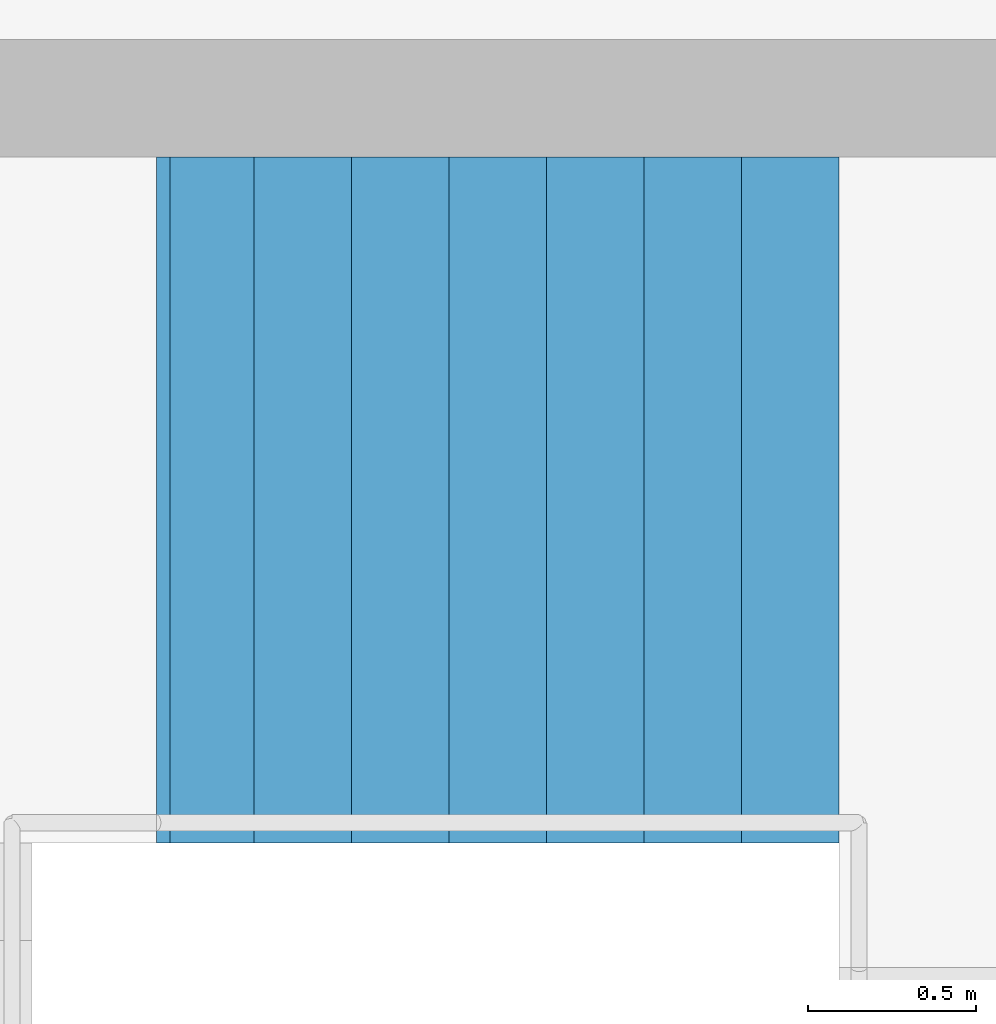
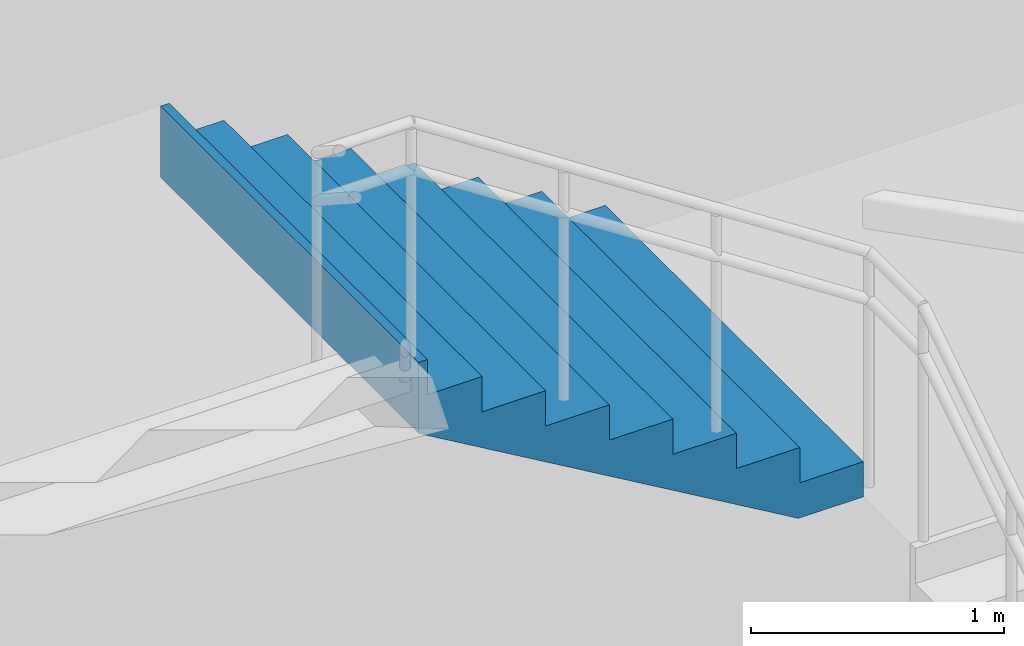
# One storey, part 65 of 74: 1 stair flight, 1 element without a shape of its own.
"""IFC4 building model written with IfcOpenShell, lengths in metres."""

from ifc_helpers import new_model, si_unit, direction, frame, origin, place, context, subcontext, project, spatial, triangles, material, type_object, element, aggregate, save


model = new_model("IFC4")

# Units and contexts
model_context = context("Model", 3, precision=1e-05, world=origin(), true_north=direction((0.0, 1.0)))
body_context = subcontext(model_context, "Body", "Model", "MODEL_VIEW")
ifc_project = project(units=[si_unit("LENGTHUNIT", "METRE"), si_unit("AREAUNIT", "SQUARE_METRE"), si_unit("VOLUMEUNIT", "CUBIC_METRE"), si_unit("PLANEANGLEUNIT", "RADIAN"), si_unit("MASSUNIT", "GRAM", prefix="KILO")], contexts=[model_context])

# Site, building, storey
site_placement = place(None, origin())
site = spatial("IfcSite", under=ifc_project, at=site_placement, CompositionType="ELEMENT")
building_placement = place(site_placement, origin())
building = spatial("IfcBuilding", under=site, at=building_placement, Name="Sillaruma Civic Art Gallery", CompositionType="ELEMENT")
storey_placement = place(building_placement, frame((0.0, 0.0, 5.43994140625)))
storey = spatial("IfcBuildingStorey", under=building, at=storey_placement, Name="L01", CompositionType="ELEMENT", Elevation=5.43994140625)

# Stair, stair flight
ifc_material = material(Name="Concrete H35 (35 MPa)", Category="concrete")
stair_type = type_object("IfcStairType", Name="STR-4F-32", PredefinedType="USERDEFINED", material=ifc_material)
stair_placement = place(storey_placement, origin())
stair = element("IfcStair", 1, at=stair_placement, inside=storey, type_object=stair_type, Name="Protected Exit Stair ST-02 (West Bar North) (L01)", ObjectType="THREE_RETURN_STAIR", PredefinedType="USERDEFINED")
stair_flight_type = type_object("IfcStairFlightType", Name="SFL-STR-8", PredefinedType="STRAIGHT", material=ifc_material)
stair_flight_placement = place(storey_placement, frame((67.199951171875, 86.3701171875, 2.719970703125), z_axis=(0.0, 0.0, 1.0), x_axis=(-1.0, 0.0, 0.0)))
stair_flight = element("IfcStairFlight", 2, at=stair_flight_placement, type_object=stair_flight_type, Name="ST-02 flight 3", NumberOfRisers=8, NumberOfTreads=7, PredefinedType="STRAIGHT", RiserHeight=0.17, TreadLength=0.29, context=body_context, shape_type="Tessellation", body=[
    triangles([(0.0, -1.02001953125, 0.0), (0.29, -1.02001953125, 0.0), (0.296443, -1.02001953125, 0.0), (0.58, -1.02001953125, 0.166223), (0.87, -1.02001953125, 0.336223), (1.16, -1.02001953125, 0.506223), (1.45, -1.02001953125, 0.676223), (1.74, -1.02001953125, 0.846223), (1.990029, -1.02001953125, 0.992792), (2.030029, -1.02001953125, 1.01624), (2.030029, -1.02001953125, 1.36), (1.990029, -1.02001953125, 1.36), (1.990029, -1.02001953125, 1.19), (1.74, -1.02001953125, 1.19), (1.74, -1.02001953125, 1.02), (1.45, -1.02001953125, 1.02), (1.45, -1.02001953125, 0.85), (1.16, -1.02001953125, 0.85), (1.16, -1.02001953125, 0.68), (0.87, -1.02001953125, 0.68), (0.87, -1.02001953125, 0.51), (0.58, -1.02001953125, 0.51), (0.58, -1.02001953125, 0.34), (0.296443, -1.02001953125, 0.34), (0.29, -1.02001953125, 0.34), (0.29, -1.02001953125, 0.17), (0.0, -1.02001953125, 0.17), (0.0, -0.05, 0.0), (0.29, -0.05, 0.0), (0.296443, -0.05, 0.0), (0.58, -0.05, 0.166223), (0.87, -0.05, 0.336223), (1.16, -0.05, 0.506223), (1.45, -0.05, 0.676223), (1.74, -0.05, 0.846223), (1.990029, -0.05, 0.992792), (2.030029, -0.05, 1.01624), (2.030029, -0.05, 1.36), (1.990029, -0.05, 1.36), (1.990029, -0.05, 1.19), (1.74, -0.05, 1.19), (1.74, -0.05, 1.02), (1.45, -0.05, 1.02), (1.45, -0.05, 0.85), (1.16, -0.05, 0.85), (1.16, -0.05, 0.68), (0.87, -0.05, 0.68), (0.87, -0.05, 0.51), (0.58, -0.05, 0.51), (0.58, -0.05, 0.34), (0.296443, -0.05, 0.34), (0.29, -0.05, 0.34), (0.29, -0.05, 0.17), (0.0, -0.05, 0.17), (0.0, -0.0375, 0.0), (0.29, -0.0375, 0.0), (0.296443, -0.0375, 0.0), (0.58, -0.0375, 0.166223), (0.87, -0.0375, 0.336223), (1.16, -0.0375, 0.506223), (1.45, -0.0375, 0.676223), (1.74, -0.0375, 0.846223), (1.990029, -0.0375, 0.992792), (2.030029, -0.0375, 1.01624), (2.030029, -0.0375, 1.36), (1.990029, -0.0375, 1.36), (1.990029, -0.0375, 1.19), (1.74, -0.0375, 1.19), (1.74, -0.0375, 1.02), (1.45, -0.0375, 1.02), (1.45, -0.0375, 0.85), (1.16, -0.0375, 0.85), (1.16, -0.0375, 0.68), (0.87, -0.0375, 0.68), (0.87, -0.0375, 0.51), (0.58, -0.0375, 0.51), (0.58, -0.0375, 0.34), (0.296443, -0.0375, 0.34), (0.29, -0.0375, 0.34), (0.29, -0.0375, 0.17), (0.0, -0.0375, 0.17), (0.0, -0.025, 0.0), (0.29, -0.025, 0.0), (0.296443, -0.025, 0.0), (0.58, -0.025, 0.166223), (0.87, -0.025, 0.336223), (1.16, -0.025, 0.506223), (1.45, -0.025, 0.676223), (1.74, -0.025, 0.846223), (1.990029, -0.025, 0.992792), (2.030029, -0.025, 1.01624), (2.030029, -0.025, 1.36), (1.990029, -0.025, 1.36), (1.990029, -0.025, 1.19), (1.74, -0.025, 1.19), (1.74, -0.025, 1.02), (1.45, -0.025, 1.02), (1.45, -0.025, 0.85), (1.16, -0.025, 0.85), (1.16, -0.025, 0.68), (0.87, -0.025, 0.68), (0.87, -0.025, 0.51), (0.58, -0.025, 0.51), (0.58, -0.025, 0.34), (0.296443, -0.025, 0.34), (0.29, -0.025, 0.34), (0.29, -0.025, 0.17), (0.0, -0.025, 0.17), (0.0, -0.0125, 0.0), (0.29, -0.0125, 0.0), (0.296443, -0.0125, 0.0), (0.58, -0.0125, 0.166223), (0.87, -0.0125, 0.336223), (1.16, -0.0125, 0.506223), (1.45, -0.0125, 0.676223), (1.74, -0.0125, 0.846223), (1.990029, -0.0125, 0.992792), (2.030029, -0.0125, 1.01624), (2.030029, -0.0125, 1.36), (1.990029, -0.0125, 1.36), (1.990029, -0.0125, 1.19), (1.74, -0.0125, 1.19), (1.74, -0.0125, 1.02), (1.45, -0.0125, 1.02), (1.45, -0.0125, 0.85), (1.16, -0.0125, 0.85), (1.16, -0.0125, 0.68), (0.87, -0.0125, 0.68), (0.87, -0.0125, 0.51), (0.58, -0.0125, 0.51), (0.58, -0.0125, 0.34), (0.296443, -0.0125, 0.34), (0.29, -0.0125, 0.34), (0.29, -0.0125, 0.17), (0.0, -0.0125, 0.17), (0.0, 0.0, 0.0), (0.29, 0.0, 0.0), (0.296443, 0.0, 0.0), (0.58, 0.0, 0.166223), (0.87, 0.0, 0.336223), (1.16, 0.0, 0.506223), (1.45, 0.0, 0.676223), (1.74, 0.0, 0.846223), (1.990029, 0.0, 0.992792), (2.030029, 0.0, 1.01624), (2.030029, 0.0, 1.36), (1.990029, 0.0, 1.36), (1.990029, 0.0, 1.19), (1.74, 0.0, 1.19), (1.74, 0.0, 1.02), (1.45, 0.0, 1.02), (1.45, 0.0, 0.85), (1.16, 0.0, 0.85), (1.16, 0.0, 0.68), (0.87, 0.0, 0.68), (0.87, 0.0, 0.51), (0.58, 0.0, 0.51), (0.58, 0.0, 0.34), (0.296443, 0.0, 0.34), (0.29, 0.0, 0.34), (0.29, 0.0, 0.17), (0.0, 0.0, 0.17), (0.0, 0.0125, 0.0), (0.29, 0.0125, 0.0), (0.296443, 0.0125, 0.0), (0.58, 0.0125, 0.166223), (0.87, 0.0125, 0.336223), (1.16, 0.0125, 0.506223), (1.45, 0.0125, 0.676223), (1.74, 0.0125, 0.846223), (1.990029, 0.0125, 0.992792), (2.030029, 0.0125, 1.01624), (2.030029, 0.0125, 1.36), (1.990029, 0.0125, 1.36), (1.990029, 0.0125, 1.19), (1.74, 0.0125, 1.19), (1.74, 0.0125, 1.02), (1.45, 0.0125, 1.02), (1.45, 0.0125, 0.85), (1.16, 0.0125, 0.85), (1.16, 0.0125, 0.68), (0.87, 0.0125, 0.68), (0.87, 0.0125, 0.51), (0.58, 0.0125, 0.51), (0.58, 0.0125, 0.34), (0.296443, 0.0125, 0.34), (0.29, 0.0125, 0.34), (0.29, 0.0125, 0.17), (0.0, 0.0125, 0.17), (0.0, 0.025, 0.0), (0.29, 0.025, 0.0), (0.296443, 0.025, 0.0), (0.58, 0.025, 0.166223), (0.87, 0.025, 0.336223), (1.16, 0.025, 0.506223), (1.45, 0.025, 0.676223), (1.74, 0.025, 0.846223), (1.990029, 0.025, 0.992792), (2.030029, 0.025, 1.01624), (2.030029, 0.025, 1.36), (1.990029, 0.025, 1.36), (1.990029, 0.025, 1.19), (1.74, 0.025, 1.19), (1.74, 0.025, 1.02), (1.45, 0.025, 1.02), (1.45, 0.025, 0.85), (1.16, 0.025, 0.85), (1.16, 0.025, 0.68), (0.87, 0.025, 0.68), (0.87, 0.025, 0.51), (0.58, 0.025, 0.51), (0.58, 0.025, 0.34), (0.296443, 0.025, 0.34), (0.29, 0.025, 0.34), (0.29, 0.025, 0.17), (0.0, 0.025, 0.17), (0.0, 0.0375, 0.0), (0.29, 0.0375, 0.0), (0.296443, 0.0375, 0.0), (0.58, 0.0375, 0.166223), (0.87, 0.0375, 0.336223), (1.16, 0.0375, 0.506223), (1.45, 0.0375, 0.676223), (1.74, 0.0375, 0.846223), (1.990029, 0.0375, 0.992792), (2.030029, 0.0375, 1.01624), (2.030029, 0.0375, 1.36), (1.990029, 0.0375, 1.36), (1.990029, 0.0375, 1.19), (1.74, 0.0375, 1.19), (1.74, 0.0375, 1.02), (1.45, 0.0375, 1.02), (1.45, 0.0375, 0.85), (1.16, 0.0375, 0.85), (1.16, 0.0375, 0.68), (0.87, 0.0375, 0.68), (0.87, 0.0375, 0.51), (0.58, 0.0375, 0.51), (0.58, 0.0375, 0.34), (0.296443, 0.0375, 0.34), (0.29, 0.0375, 0.34), (0.29, 0.0375, 0.17), (0.0, 0.0375, 0.17), (0.0, 0.05, 0.0), (0.29, 0.05, 0.0), (0.296443, 0.05, 0.0), (0.58, 0.05, 0.166223), (0.87, 0.05, 0.336223), (1.16, 0.05, 0.506223), (1.45, 0.05, 0.676223), (1.74, 0.05, 0.846223), (1.990029, 0.05, 0.992792), (2.030029, 0.05, 1.01624), (2.030029, 0.05, 1.36), (1.990029, 0.05, 1.36), (1.990029, 0.05, 1.19), (1.74, 0.05, 1.19), (1.74, 0.05, 1.02), (1.45, 0.05, 1.02), (1.45, 0.05, 0.85), (1.16, 0.05, 0.85), (1.16, 0.05, 0.68), (0.87, 0.05, 0.68), (0.87, 0.05, 0.51), (0.58, 0.05, 0.51), (0.58, 0.05, 0.34), (0.296443, 0.05, 0.34), (0.29, 0.05, 0.34), (0.29, 0.05, 0.17), (0.0, 0.05, 0.17), (0.0, 1.02001953125, 0.0), (0.29, 1.02001953125, 0.0), (0.296443, 1.02001953125, 0.0), (0.58, 1.02001953125, 0.166223), (0.87, 1.02001953125, 0.336223), (1.16, 1.02001953125, 0.506223), (1.45, 1.02001953125, 0.676223), (1.74, 1.02001953125, 0.846223), (1.990029, 1.02001953125, 0.992792), (2.030029, 1.02001953125, 1.01624), (2.030029, 1.02001953125, 1.36), (1.990029, 1.02001953125, 1.36), (1.990029, 1.02001953125, 1.19), (1.74, 1.02001953125, 1.19), (1.74, 1.02001953125, 1.02), (1.45, 1.02001953125, 1.02), (1.45, 1.02001953125, 0.85), (1.16, 1.02001953125, 0.85), (1.16, 1.02001953125, 0.68), (0.87, 1.02001953125, 0.68), (0.87, 1.02001953125, 0.51), (0.58, 1.02001953125, 0.51), (0.58, 1.02001953125, 0.34), (0.296443, 1.02001953125, 0.34), (0.29, 1.02001953125, 0.34), (0.29, 1.02001953125, 0.17), (0.0, 1.02001953125, 0.17)], [[1, 2, 26], [1, 26, 27], [2, 3, 24], [2, 24, 26], [26, 24, 25], [3, 4, 23], [3, 23, 24], [4, 5, 21], [4, 21, 23], [23, 21, 22], [5, 6, 19], [5, 19, 21], [21, 19, 20], [6, 7, 17], [6, 17, 19], [19, 17, 18], [7, 8, 15], [7, 15, 17], [17, 15, 16], [8, 9, 13], [8, 13, 15], [15, 13, 14], [9, 10, 11], [9, 11, 13], [13, 11, 12], [296, 272, 271], [297, 296, 271], [294, 273, 272], [296, 294, 272], [295, 294, 296], [293, 274, 273], [294, 293, 273], [291, 275, 274], [293, 291, 274], [292, 291, 293], [289, 276, 275], [291, 289, 275], [290, 289, 291], [287, 277, 276], [289, 287, 276], [288, 287, 289], [285, 278, 277], [287, 285, 277], [286, 285, 287], [283, 279, 278], [285, 283, 278], [284, 283, 285], [281, 280, 279], [283, 281, 279], [282, 281, 283], [2, 1, 28], [2, 28, 29], [3, 2, 29], [3, 29, 30], [4, 3, 30], [4, 30, 31], [5, 4, 31], [5, 31, 32], [6, 5, 32], [6, 32, 33], [7, 6, 33], [7, 33, 34], [8, 7, 34], [8, 34, 35], [9, 8, 35], [9, 35, 36], [10, 9, 36], [10, 36, 37], [11, 10, 37], [11, 37, 38], [12, 11, 38], [12, 38, 39], [13, 12, 39], [13, 39, 40], [14, 13, 40], [14, 40, 41], [15, 14, 41], [15, 41, 42], [16, 15, 42], [16, 42, 43], [17, 16, 43], [17, 43, 44], [18, 17, 44], [18, 44, 45], [19, 18, 45], [19, 45, 46], [20, 19, 46], [20, 46, 47], [21, 20, 47], [21, 47, 48], [22, 21, 48], [22, 48, 49], [23, 22, 49], [23, 49, 50], [24, 23, 50], [24, 50, 51], [25, 24, 51], [25, 51, 52], [26, 25, 52], [26, 52, 53], [27, 26, 53], [27, 53, 54], [1, 27, 54], [1, 54, 28], [29, 28, 55], [29, 55, 56], [30, 29, 56], [30, 56, 57], [31, 30, 57], [31, 57, 58], [32, 31, 58], [32, 58, 59], [33, 32, 59], [33, 59, 60], [34, 33, 60], [34, 60, 61], [35, 34, 61], [35, 61, 62], [36, 35, 62], [36, 62, 63], [37, 36, 63], [37, 63, 64], [38, 37, 64], [38, 64, 65], [39, 38, 65], [39, 65, 66], [40, 39, 66], [40, 66, 67], [41, 40, 67], [41, 67, 68], [42, 41, 68], [42, 68, 69], [43, 42, 69], [43, 69, 70], [44, 43, 70], [44, 70, 71], [45, 44, 71], [45, 71, 72], [46, 45, 72], [46, 72, 73], [47, 46, 73], [47, 73, 74], [48, 47, 74], [48, 74, 75], [49, 48, 75], [49, 75, 76], [50, 49, 76], [50, 76, 77], [51, 50, 77], [51, 77, 78], [52, 51, 78], [52, 78, 79], [53, 52, 79], [53, 79, 80], [54, 53, 80], [54, 80, 81], [28, 54, 81], [28, 81, 55], [56, 55, 82], [56, 82, 83], [57, 56, 83], [57, 83, 84], [58, 57, 84], [58, 84, 85], [59, 58, 85], [59, 85, 86], [60, 59, 86], [60, 86, 87], [61, 60, 87], [61, 87, 88], [62, 61, 88], [62, 88, 89], [63, 62, 89], [63, 89, 90], [64, 63, 90], [64, 90, 91], [65, 64, 91], [65, 91, 92], [66, 65, 92], [66, 92, 93], [67, 66, 93], [67, 93, 94], [68, 67, 94], [68, 94, 95], [69, 68, 95], [69, 95, 96], [70, 69, 96], [70, 96, 97], [71, 70, 97], [71, 97, 98], [72, 71, 98], [72, 98, 99], [73, 72, 99], [73, 99, 100], [74, 73, 100], [74, 100, 101], [75, 74, 101], [75, 101, 102], [76, 75, 102], [76, 102, 103], [77, 76, 103], [77, 103, 104], [78, 77, 104], [78, 104, 105], [79, 78, 105], [79, 105, 106], [80, 79, 106], [80, 106, 107], [81, 80, 107], [81, 107, 108], [55, 81, 108], [55, 108, 82], [83, 82, 109], [83, 109, 110], [84, 83, 110], [84, 110, 111], [85, 84, 111], [85, 111, 112], [86, 85, 112], [86, 112, 113], [87, 86, 113], [87, 113, 114], [88, 87, 114], [88, 114, 115], [89, 88, 115], [89, 115, 116], [90, 89, 116], [90, 116, 117], [91, 90, 117], [91, 117, 118], [92, 91, 118], [92, 118, 119], [93, 92, 119], [93, 119, 120], [94, 93, 120], [94, 120, 121], [95, 94, 121], [95, 121, 122], [96, 95, 122], [96, 122, 123], [97, 96, 123], [97, 123, 124], [98, 97, 124], [98, 124, 125], [99, 98, 125], [99, 125, 126], [100, 99, 126], [100, 126, 127], [101, 100, 127], [101, 127, 128], [102, 101, 128], [102, 128, 129], [103, 102, 129], [103, 129, 130], [104, 103, 130], [104, 130, 131], [105, 104, 131], [105, 131, 132], [106, 105, 132], [106, 132, 133], [107, 106, 133], [107, 133, 134], [108, 107, 134], [108, 134, 135], [82, 108, 135], [82, 135, 109], [110, 109, 136], [110, 136, 137], [111, 110, 137], [111, 137, 138], [112, 111, 138], [112, 138, 139], [113, 112, 139], [113, 139, 140], [114, 113, 140], [114, 140, 141], [115, 114, 141], [115, 141, 142], [116, 115, 142], [116, 142, 143], [117, 116, 143], [117, 143, 144], [118, 117, 144], [118, 144, 145], [119, 118, 145], [119, 145, 146], [120, 119, 146], [120, 146, 147], [121, 120, 147], [121, 147, 148], [122, 121, 148], [122, 148, 149], [123, 122, 149], [123, 149, 150], [124, 123, 150], [124, 150, 151], [125, 124, 151], [125, 151, 152], [126, 125, 152], [126, 152, 153], [127, 126, 153], [127, 153, 154], [128, 127, 154], [128, 154, 155], [129, 128, 155], [129, 155, 156], [130, 129, 156], [130, 156, 157], [131, 130, 157], [131, 157, 158], [132, 131, 158], [132, 158, 159], [133, 132, 159], [133, 159, 160], [134, 133, 160], [134, 160, 161], [135, 134, 161], [135, 161, 162], [109, 135, 162], [109, 162, 136], [137, 136, 163], [137, 163, 164], [138, 137, 164], [138, 164, 165], [139, 138, 165], [139, 165, 166], [140, 139, 166], [140, 166, 167], [141, 140, 167], [141, 167, 168], [142, 141, 168], [142, 168, 169], [143, 142, 169], [143, 169, 170], [144, 143, 170], [144, 170, 171], [145, 144, 171], [145, 171, 172], [146, 145, 172], [146, 172, 173], [147, 146, 173], [147, 173, 174], [148, 147, 174], [148, 174, 175], [149, 148, 175], [149, 175, 176], [150, 149, 176], [150, 176, 177], [151, 150, 177], [151, 177, 178], [152, 151, 178], [152, 178, 179], [153, 152, 179], [153, 179, 180], [154, 153, 180], [154, 180, 181], [155, 154, 181], [155, 181, 182], [156, 155, 182], [156, 182, 183], [157, 156, 183], [157, 183, 184], [158, 157, 184], [158, 184, 185], [159, 158, 185], [159, 185, 186], [160, 159, 186], [160, 186, 187], [161, 160, 187], [161, 187, 188], [162, 161, 188], [162, 188, 189], [136, 162, 189], [136, 189, 163], [164, 163, 190], [164, 190, 191], [165, 164, 191], [165, 191, 192], [166, 165, 192], [166, 192, 193], [167, 166, 193], [167, 193, 194], [168, 167, 194], [168, 194, 195], [169, 168, 195], [169, 195, 196], [170, 169, 196], [170, 196, 197], [171, 170, 197], [171, 197, 198], [172, 171, 198], [172, 198, 199], [173, 172, 199], [173, 199, 200], [174, 173, 200], [174, 200, 201], [175, 174, 201], [175, 201, 202], [176, 175, 202], [176, 202, 203], [177, 176, 203], [177, 203, 204], [178, 177, 204], [178, 204, 205], [179, 178, 205], [179, 205, 206], [180, 179, 206], [180, 206, 207], [181, 180, 207], [181, 207, 208], [182, 181, 208], [182, 208, 209], [183, 182, 209], [183, 209, 210], [184, 183, 210], [184, 210, 211], [185, 184, 211], [185, 211, 212], [186, 185, 212], [186, 212, 213], [187, 186, 213], [187, 213, 214], [188, 187, 214], [188, 214, 215], [189, 188, 215], [189, 215, 216], [163, 189, 216], [163, 216, 190], [191, 190, 217], [191, 217, 218], [192, 191, 218], [192, 218, 219], [193, 192, 219], [193, 219, 220], [194, 193, 220], [194, 220, 221], [195, 194, 221], [195, 221, 222], [196, 195, 222], [196, 222, 223], [197, 196, 223], [197, 223, 224], [198, 197, 224], [198, 224, 225], [199, 198, 225], [199, 225, 226], [200, 199, 226], [200, 226, 227], [201, 200, 227], [201, 227, 228], [202, 201, 228], [202, 228, 229], [203, 202, 229], [203, 229, 230], [204, 203, 230], [204, 230, 231], [205, 204, 231], [205, 231, 232], [206, 205, 232], [206, 232, 233], [207, 206, 233], [207, 233, 234], [208, 207, 234], [208, 234, 235], [209, 208, 235], [209, 235, 236], [210, 209, 236], [210, 236, 237], [211, 210, 237], [211, 237, 238], [212, 211, 238], [212, 238, 239], [213, 212, 239], [213, 239, 240], [214, 213, 240], [214, 240, 241], [215, 214, 241], [215, 241, 242], [216, 215, 242], [216, 242, 243], [190, 216, 243], [190, 243, 217], [218, 217, 244], [218, 244, 245], [219, 218, 245], [219, 245, 246], [220, 219, 246], [220, 246, 247], [221, 220, 247], [221, 247, 248], [222, 221, 248], [222, 248, 249], [223, 222, 249], [223, 249, 250], [224, 223, 250], [224, 250, 251], [225, 224, 251], [225, 251, 252], [226, 225, 252], [226, 252, 253], [227, 226, 253], [227, 253, 254], [228, 227, 254], [228, 254, 255], [229, 228, 255], [229, 255, 256], [230, 229, 256], [230, 256, 257], [231, 230, 257], [231, 257, 258], [232, 231, 258], [232, 258, 259], [233, 232, 259], [233, 259, 260], [234, 233, 260], [234, 260, 261], [235, 234, 261], [235, 261, 262], [236, 235, 262], [236, 262, 263], [237, 236, 263], [237, 263, 264], [238, 237, 264], [238, 264, 265], [239, 238, 265], [239, 265, 266], [240, 239, 266], [240, 266, 267], [241, 240, 267], [241, 267, 268], [242, 241, 268], [242, 268, 269], [243, 242, 269], [243, 269, 270], [217, 243, 270], [217, 270, 244], [245, 244, 271], [245, 271, 272], [246, 245, 272], [246, 272, 273], [247, 246, 273], [247, 273, 274], [248, 247, 274], [248, 274, 275], [249, 248, 275], [249, 275, 276], [250, 249, 276], [250, 276, 277], [251, 250, 277], [251, 277, 278], [252, 251, 278], [252, 278, 279], [253, 252, 279], [253, 279, 280], [254, 253, 280], [254, 280, 281], [255, 254, 281], [255, 281, 282], [256, 255, 282], [256, 282, 283], [257, 256, 283], [257, 283, 284], [258, 257, 284], [258, 284, 285], [259, 258, 285], [259, 285, 286], [260, 259, 286], [260, 286, 287], [261, 260, 287], [261, 287, 288], [262, 261, 288], [262, 288, 289], [263, 262, 289], [263, 289, 290], [264, 263, 290], [264, 290, 291], [265, 264, 291], [265, 291, 292], [266, 265, 292], [266, 292, 293], [267, 266, 293], [267, 293, 294], [268, 267, 294], [268, 294, 295], [269, 268, 295], [269, 295, 296], [270, 269, 296], [270, 296, 297], [244, 270, 297], [244, 297, 271]], closed=True),
])
aggregate(stair, [stair_flight])

save(model, "model.ifc")
